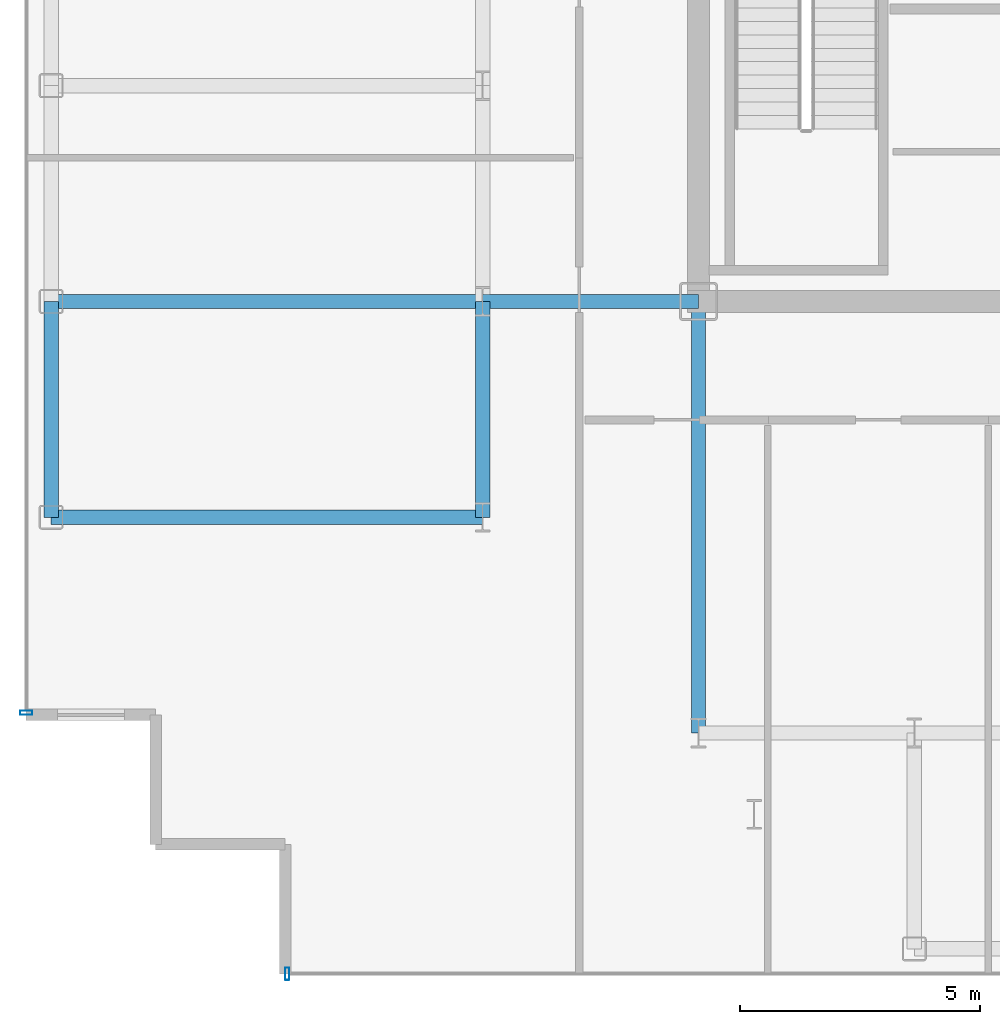
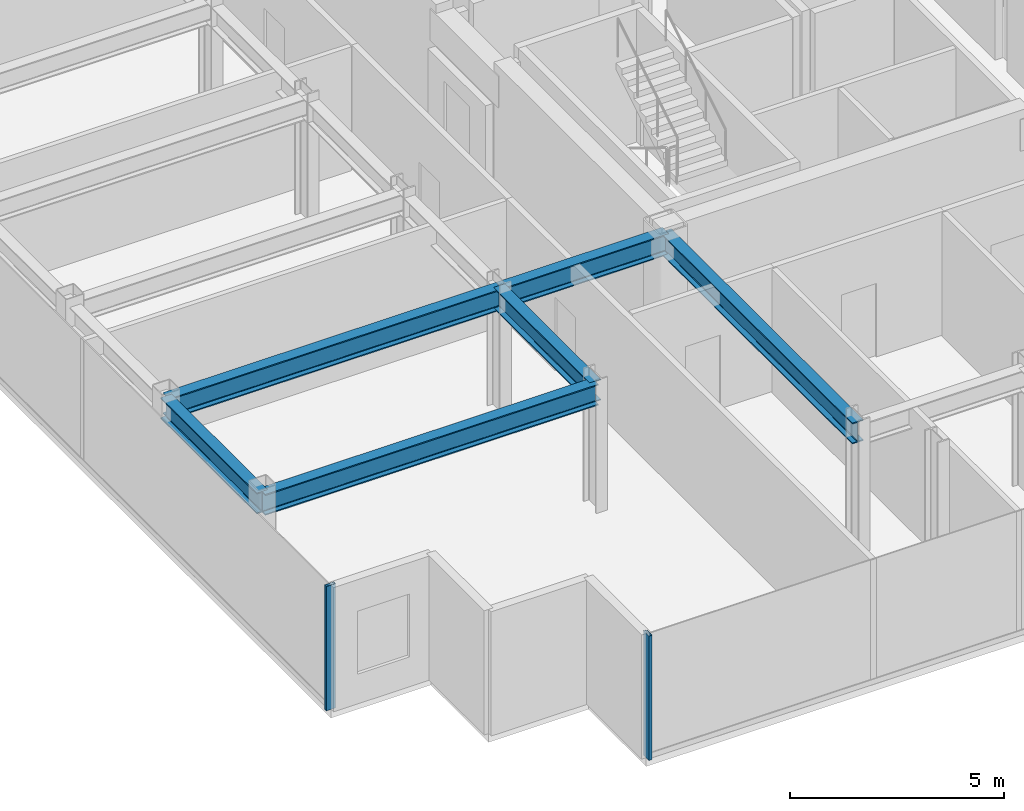
# One storey, part 2 of 18: 6 beams, 2 members, 2 elements without a shape of their own.
"""IFC4 building model written with IfcOpenShell, lengths in metres."""

from ifc_helpers import new_model, si_unit, direction, frame, origin, origin_2d, place, context, subcontext, project, spatial, hollow_rectangle, i_section, extrude, source, transform, mapped, material, layer, layer_set, material_profile, profile_set, type_object, element, aggregate, save


model = new_model("IFC4")

# Units and contexts
model_context = context("Model", 3, precision=1e-05, world=origin(), true_north=direction((0.0, 1.0)))
body_context = subcontext(model_context, "Body", "Model", "MODEL_VIEW")
ifc_project = project(units=[si_unit("LENGTHUNIT", "METRE"), si_unit("AREAUNIT", "SQUARE_METRE"), si_unit("VOLUMEUNIT", "CUBIC_METRE"), si_unit("PLANEANGLEUNIT", "RADIAN"), si_unit("MASSUNIT", "GRAM", prefix="KILO")], contexts=[model_context])

# Site, building, storey
site_placement = place(None, origin())
site = spatial("IfcSite", under=ifc_project, at=site_placement, CompositionType="ELEMENT")
building_placement = place(site_placement, origin())
building = spatial("IfcBuilding", under=site, at=building_placement, Name="Nefas-Gora Pilgrimage Tower", CompositionType="ELEMENT")
storey_placement = place(building_placement, frame((0.0, 0.0, 291.199951171875)))
storey = spatial("IfcBuildingStorey", under=building, at=storey_placement, Name="L73", CompositionType="ELEMENT", Elevation=291.199951171875)

# Beams
ifc_material_1 = material(Name="Steel S355", Category="steel")
ifc_material_profile_1 = material_profile(ifc_material_1, i_section(OverallWidth=0.300048828125, OverallDepth=0.60009765625, WebThickness=0.015380859375, FlangeThickness=0.030029296875, FilletRadius=0.027099609375, at=origin_2d()), Name="HEB 600")
ifc_profile_set_1 = profile_set([ifc_material_profile_1], Name="Steel S355")
beam_type_1 = type_object("IfcBeamType", Name="BM-SPN-HEB450", PredefinedType="SPANDREL", material=ifc_profile_set_1)
shared_shape_1 = source(origin(), body_context, "Body", "SweptSolid", [
    extrude(i_section(OverallWidth=0.300048828125, OverallDepth=0.60009765625, WebThickness=0.015380859375, FlangeThickness=0.030029296875, FilletRadius=0.027099609375, at=origin_2d()), origin(), (0.0, 0.0, 1.0), 4.5),
])
beam_placement = place(storey_placement, frame((-24.75, -13.5, 3.25), z_axis=(0.0, 1.0, 0.0), x_axis=(-1.0, 0.0, 0.0)))
element("IfcBeam", 1, at=beam_placement, inside=storey, type_object=beam_type_1, Name="L73 SP-03 beam", PredefinedType="SPANDREL", context=body_context, shape_type="MappedRepresentation", body=[
    mapped(shared_shape_1, transform((0.0, 0.0, 0.0), x_axis=(1.0, 0.0, 0.0), y_axis=(0.0, 1.0, 0.0), z_axis=(0.0, 0.0, 1.0), scale=1.0)),
])
ifc_material_profile_2 = material_profile(ifc_material_1, i_section(OverallWidth=0.300048828125, OverallDepth=0.60009765625, WebThickness=0.015380859375, FlangeThickness=0.030029296875, FilletRadius=0.027099609375, at=origin_2d()), Name="HEB 600")
ifc_profile_set_2 = profile_set([ifc_material_profile_2], Name="Steel S355")
beam_type_2 = type_object("IfcBeamType", Name="BM-GIR-HEB600", PredefinedType="BEAM", material=ifc_profile_set_2)
shared_shape_2 = source(origin(), body_context, "Body", "SweptSolid", [
    extrude(i_section(OverallWidth=0.300048828125, OverallDepth=0.60009765625, WebThickness=0.015380859375, FlangeThickness=0.030029296875, FilletRadius=0.027099609375, at=origin_2d()), origin(), (0.0, 0.0, 1.0), 9.0),
])
for number, where, z_axis, x_axis, name in (
    (2, (-24.75, -13.5, 3.25), (1.0, 0.0, 0.0), (0.0, 1.0, 0.0), "L73 G-04 beam"),
    (3, (-24.75, -9.0, 3.25), (1.0, 0.0, 0.0), (0.0, 1.0, 0.0), "L73 G-04 beam"),
    (4, (-11.25, -18.0, 3.25), (0.0, 1.0, 0.0), (-1.0, 0.0, 0.0), "L73 G-04 beam"),
):
    element("IfcBeam", number, at=place(storey_placement, frame(where, z_axis=z_axis, x_axis=x_axis)), inside=storey, type_object=beam_type_2, Name=name, PredefinedType="BEAM", context=body_context, shape_type="MappedRepresentation", body=[
        mapped(shared_shape_2, transform((0.0, 0.0, 0.0), x_axis=(1.0, 0.0, 0.0), y_axis=(0.0, 1.0, 0.0), z_axis=(0.0, 0.0, 1.0), scale=1.0)),
    ])
shared_shape_3 = source(origin(), body_context, "Body", "SweptSolid", [
    extrude(i_section(OverallWidth=0.300048828125, OverallDepth=0.60009765625, WebThickness=0.015380859375, FlangeThickness=0.030029296875, FilletRadius=0.027099609375, at=origin_2d()), origin(), (0.0, 0.0, 1.0), 4.5),
])
for number, where, z_axis, x_axis, name in (
    (5, (-15.75, -13.5, 3.25), (0.0, 1.0, 0.0), (-1.0, 0.0, 0.0), "L73 G-04 beam"),
    (6, (-15.75, -9.0, 3.25), (1.0, 0.0, 0.0), (0.0, 1.0, 0.0), "L73 G-04 beam"),
):
    element("IfcBeam", number, at=place(storey_placement, frame(where, z_axis=z_axis, x_axis=x_axis)), inside=storey, type_object=beam_type_2, Name=name, PredefinedType="BEAM", context=body_context, shape_type="MappedRepresentation", body=[
        mapped(shared_shape_3, transform((0.0, 0.0, 0.0), x_axis=(1.0, 0.0, 0.0), y_axis=(0.0, 1.0, 0.0), z_axis=(0.0, 0.0, 1.0), scale=1.0)),
    ])

# Curtain wall, member
ifc_material_2 = material(Name="Dark ceramic-fritted solar-control aluminium-glass curtain wall", Category="aluminium")
ifc_layer = layer(ifc_material_2, 0.219970703125)
ifc_layer_set = layer_set([ifc_layer], Name="Dark ceramic-fritted solar-control aluminium-glass curtain wall")
curtain_wall_type = type_object("IfcCurtainWallType", Name="CW-SYS-4", PredefinedType="NOTDEFINED", material=ifc_layer_set)
curtain_wall_1_placement = place(storey_placement, origin())
curtain_wall_1 = element("IfcCurtainWall", 7, at=curtain_wall_1_placement, inside=storey, type_object=curtain_wall_type, Name="L73 Unitised Curtain Wall CW4", PredefinedType="NOTDEFINED")
ifc_material_3 = material(Name="Anodised architectural aluminium", Category="aluminium")
ifc_material_profile_3 = material_profile(ifc_material_3, hollow_rectangle(XDim=0.090087890625, YDim=0.260009765625, WallThickness=0.006103515625, InnerFilletRadius=0.006103515625, OuterFilletRadius=0.011962890625, at=origin_2d()), Name="ALU MULLION 90x260")
ifc_profile_set_3 = profile_set([ifc_material_profile_3], Name="Anodised architectural aluminium")
member_type = type_object("IfcMemberType", Name="CWM-MUL-4", PredefinedType="MULLION", material=ifc_profile_set_3)
shared_shape_4 = source(origin(), body_context, "Body", "SweptSolid", [
    extrude(hollow_rectangle(XDim=0.090087890625, YDim=0.260009765625, WallThickness=0.006103515625, InnerFilletRadius=0.006103515625, OuterFilletRadius=0.011962890625, at=origin_2d()), origin(), (0.0, 0.0, 1.0), 3.550048828125),
])
member_1_placement = place(storey_placement, frame((-25.27001953125, -17.574951171875, 0.0), z_axis=(0.0, 0.0, 1.0), x_axis=(0.0, -1.0, 0.0)))
member_1 = element("IfcMember", 8, at=member_1_placement, type_object=member_type, Name="CW4 Mullion 3", PredefinedType="MULLION", context=body_context, shape_type="MappedRepresentation", body=[
    mapped(shared_shape_4, transform((0.0, 0.0, 0.0), x_axis=(1.0, 0.0, 0.0), y_axis=(0.0, 1.0, 0.0), z_axis=(0.0, 0.0, 1.0), scale=1.0)),
])
aggregate(curtain_wall_1, [member_1])

curtain_wall_2_placement = place(storey_placement, origin())
curtain_wall_2 = element("IfcCurtainWall", 9, at=curtain_wall_2_placement, inside=storey, type_object=curtain_wall_type, Name="L73 Unitised Curtain Wall CW4", PredefinedType="NOTDEFINED")
member_2_placement = place(storey_placement, frame((-19.824951171875, -23.02001953125, 0.0), z_axis=(0.0, 0.0, 1.0), x_axis=(1.0, 0.0, 0.0)))
member_2 = element("IfcMember", 10, at=member_2_placement, type_object=member_type, Name="CW4 Mullion 1", PredefinedType="MULLION", context=body_context, shape_type="MappedRepresentation", body=[
    mapped(shared_shape_4, transform((0.0, 0.0, 0.0), x_axis=(1.0, 0.0, 0.0), y_axis=(0.0, 1.0, 0.0), z_axis=(0.0, 0.0, 1.0), scale=1.0)),
])
aggregate(curtain_wall_2, [member_2])

save(model, "model.ifc")
